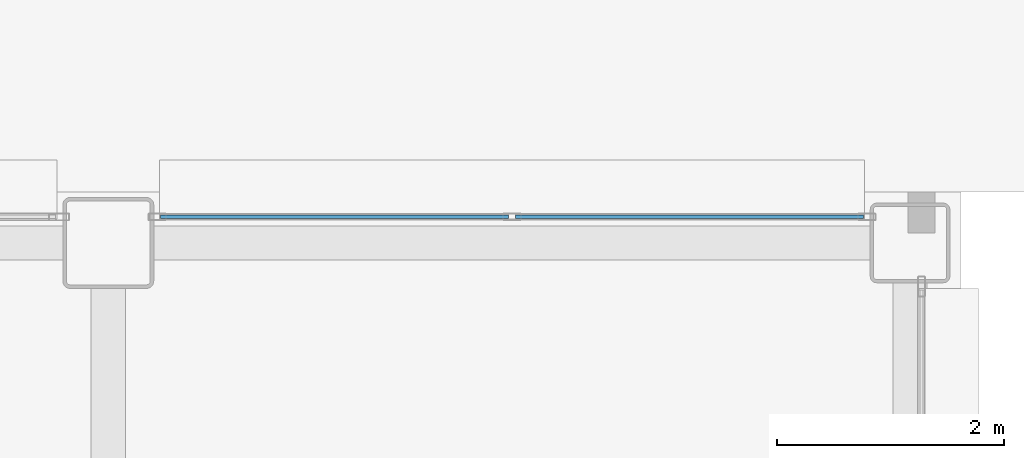
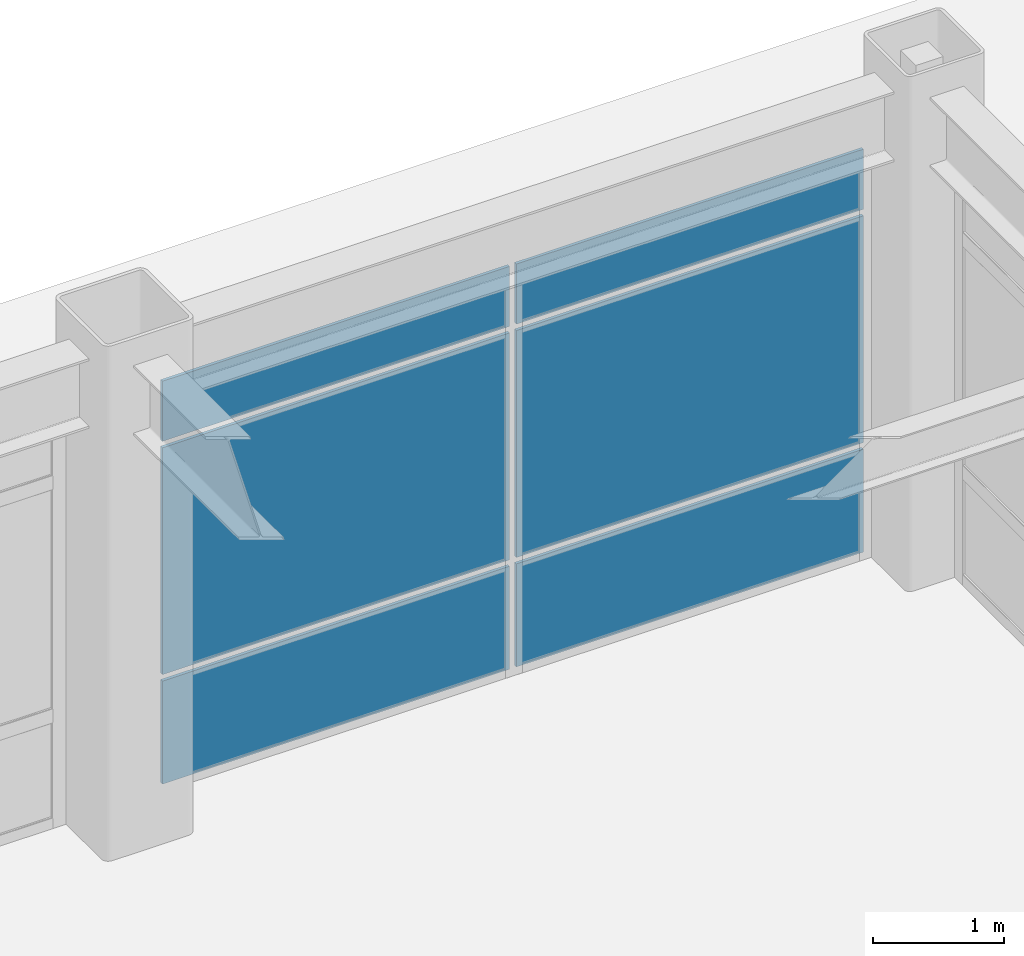
# One storey, part 139 of 172: 6 plates, 1 element without a shape of its own.
"""IFC4 building model written with IfcOpenShell, lengths in metres."""

from ifc_helpers import new_model, si_unit, direction, frame, origin, origin_2d, place, context, subcontext, project, spatial, rectangle, extrude, material, layer, layer_set, type_object, element, aggregate, save


model = new_model("IFC4")

# Units and contexts
model_context = context("Model", 3, precision=1e-05, world=origin(), true_north=direction((0.0, 1.0)))
body_context = subcontext(model_context, "Body", "Model", "MODEL_VIEW")
ifc_project = project(units=[si_unit("LENGTHUNIT", "METRE"), si_unit("AREAUNIT", "SQUARE_METRE"), si_unit("VOLUMEUNIT", "CUBIC_METRE"), si_unit("PLANEANGLEUNIT", "RADIAN"), si_unit("MASSUNIT", "GRAM", prefix="KILO")], contexts=[model_context])

# Site, building, storey
site_placement = place(None, origin())
site = spatial("IfcSite", under=ifc_project, at=site_placement, CompositionType="ELEMENT")
building_placement = place(site_placement, origin())
building = spatial("IfcBuilding", under=site, at=building_placement, Name="Kazehara Bluff Congress Hotel", CompositionType="ELEMENT")
storey_placement = place(building_placement, frame((0.0, 0.0, 5.39990234375)))
storey = spatial("IfcBuildingStorey", under=building, at=storey_placement, Name="L01", CompositionType="ELEMENT", Elevation=5.39990234375)

# Curtain wall, plates
ifc_material_1 = material(Name="Anodised aluminium", Category="aluminium")
ifc_layer_1 = layer(ifc_material_1, 0.159912109375)
ifc_layer_set_1 = layer_set([ifc_layer_1], Name="Anodised aluminium")
curtain_wall_type = type_object("IfcCurtainWallType", Name="TP-CW-112", PredefinedType="NOTDEFINED", material=ifc_layer_set_1)
curtain_wall_placement = place(storey_placement, origin())
curtain_wall = element("IfcCurtainWall", 1, at=curtain_wall_placement, inside=storey, type_object=curtain_wall_type, Name="L01 curtain wall CW-112 CW-ENC-V5-L01-16405-11378", PredefinedType="NOTDEFINED")
ifc_material_2 = material(Name="Insulated low-E double glazing", Category="glass")
ifc_layer_2 = layer(ifc_material_2, 0.028076171875)
ifc_layer_set_2 = layer_set([ifc_layer_2], Name="Insulated low-E double glazing")
plate_type = type_object("IfcPlateType", Name="TP-CWP-01", PredefinedType="CURTAIN_PANEL", material=ifc_layer_set_2)
plate_1_placement = place(storey_placement, frame((162.489990234375, 113.780029296875, 0.06005859375), z_axis=(0.0, 0.0, 1.0), x_axis=(1.0, 0.0, 0.0)))
plate_1 = element("IfcPlate", 2, at=plate_1_placement, type_object=plate_type, Name="CW-112 panel 1.1", PredefinedType="CURTAIN_PANEL", context=body_context, shape_type="SweptSolid", body=[
    extrude(rectangle(XDim=3.06005859375, YDim=0.028076171875, at=origin_2d()), origin(), (0.0, 0.0, 1.0), 0.9599609375),
])
plate_2_placement = place(storey_placement, frame((162.489990234375, 113.780029296875, 1.080078125), z_axis=(0.0, 0.0, 1.0), x_axis=(1.0, 0.0, 0.0)))
plate_2 = element("IfcPlate", 3, at=plate_2_placement, type_object=plate_type, Name="CW-112 panel 1.2", PredefinedType="CURTAIN_PANEL", context=body_context, shape_type="SweptSolid", body=[
    extrude(rectangle(XDim=3.06005859375, YDim=0.028076171875, at=origin_2d()), origin(), (0.0, 0.0, 1.0), 2.114990234375),
])
plate_3_placement = place(storey_placement, frame((162.489990234375, 113.780029296875, 3.255126953125), z_axis=(0.0, 0.0, 1.0), x_axis=(1.0, 0.0, 0.0)))
plate_3 = element("IfcPlate", 4, at=plate_3_placement, type_object=plate_type, Name="CW-112 panel 1.3", PredefinedType="CURTAIN_PANEL", context=body_context, shape_type="SweptSolid", body=[
    extrude(rectangle(XDim=3.06005859375, YDim=0.028076171875, at=origin_2d()), origin(), (0.0, 0.0, 1.0), 0.56005859375),
])
plate_4_placement = place(storey_placement, frame((165.610107421875, 113.780029296875, 0.06005859375), z_axis=(0.0, 0.0, 1.0), x_axis=(1.0, 0.0, 0.0)))
plate_4 = element("IfcPlate", 5, at=plate_4_placement, type_object=plate_type, Name="CW-112 panel 2.1", PredefinedType="CURTAIN_PANEL", context=body_context, shape_type="SweptSolid", body=[
    extrude(rectangle(XDim=3.06005859375, YDim=0.028076171875, at=origin_2d()), origin(), (0.0, 0.0, 1.0), 0.9599609375),
])
plate_5_placement = place(storey_placement, frame((165.610107421875, 113.780029296875, 1.080078125), z_axis=(0.0, 0.0, 1.0), x_axis=(1.0, 0.0, 0.0)))
plate_5 = element("IfcPlate", 6, at=plate_5_placement, type_object=plate_type, Name="CW-112 panel 2.2", PredefinedType="CURTAIN_PANEL", context=body_context, shape_type="SweptSolid", body=[
    extrude(rectangle(XDim=3.06005859375, YDim=0.028076171875, at=origin_2d()), origin(), (0.0, 0.0, 1.0), 2.114990234375),
])
plate_6_placement = place(storey_placement, frame((165.610107421875, 113.780029296875, 3.255126953125), z_axis=(0.0, 0.0, 1.0), x_axis=(1.0, 0.0, 0.0)))
plate_6 = element("IfcPlate", 7, at=plate_6_placement, type_object=plate_type, Name="CW-112 panel 2.3", PredefinedType="CURTAIN_PANEL", context=body_context, shape_type="SweptSolid", body=[
    extrude(rectangle(XDim=3.06005859375, YDim=0.028076171875, at=origin_2d()), origin(), (0.0, 0.0, 1.0), 0.56005859375),
])
aggregate(curtain_wall, [plate_1, plate_2, plate_3, plate_4, plate_5, plate_6])

save(model, "model.ifc")
